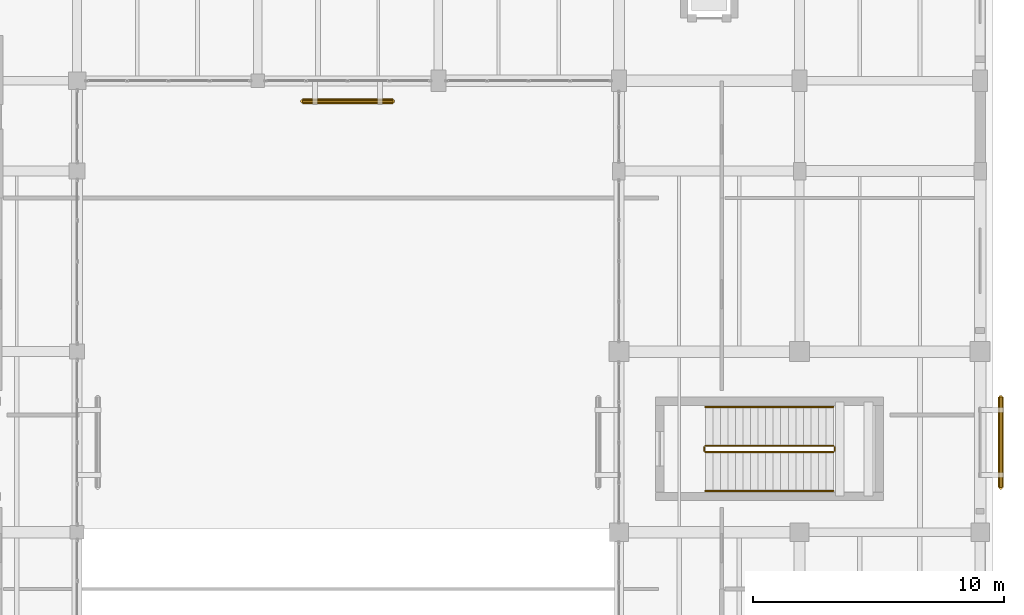
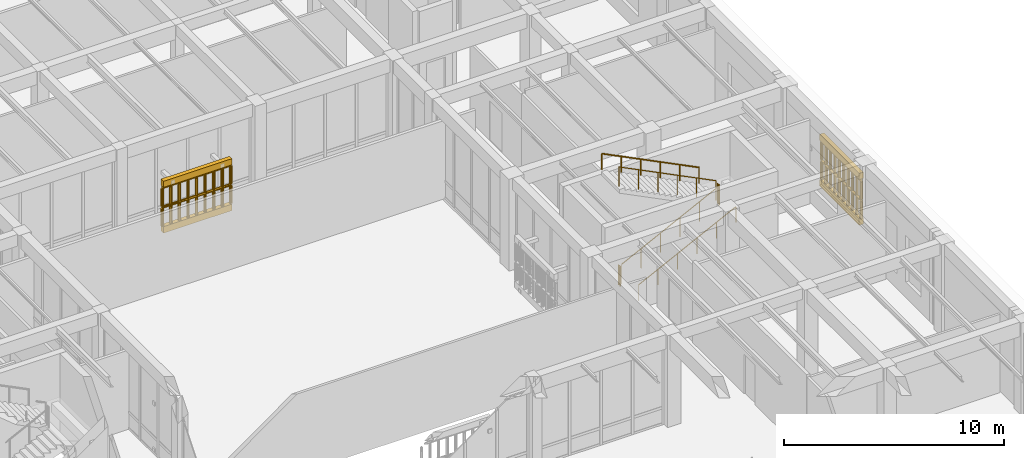
# One storey, part 167 of 169: 10 railings, 4 coverings.
"""IFC4 building model written with IfcOpenShell, lengths in metres."""

from ifc_helpers import new_model, si_unit, direction, frame, origin, origin_2d, place, context, subcontext, project, spatial, polyline, circle, outline, extrude, material, layer, layer_set, type_object, element, save


model = new_model("IFC4")

# Units and contexts
model_context = context("Model", 3, precision=1e-05, world=origin(), true_north=direction((0.0, 1.0)))
body_context = subcontext(model_context, "Body", "Model", "MODEL_VIEW")
ifc_project = project(units=[si_unit("LENGTHUNIT", "METRE"), si_unit("AREAUNIT", "SQUARE_METRE"), si_unit("VOLUMEUNIT", "CUBIC_METRE"), si_unit("PLANEANGLEUNIT", "RADIAN"), si_unit("MASSUNIT", "GRAM", prefix="KILO")], contexts=[model_context])

# Site, building, storey
site_placement = place(None, origin())
site = spatial("IfcSite", under=ifc_project, at=site_placement, CompositionType="ELEMENT")
building_placement = place(site_placement, origin())
building = spatial("IfcBuilding", under=site, at=building_placement, Name="Mazaris Harbour Polytechnic", CompositionType="ELEMENT")
storey_placement = place(building_placement, origin())
storey = spatial("IfcBuildingStorey", under=building, at=storey_placement, Name="L00", CompositionType="ELEMENT", Elevation=0.0)

# Railings
ifc_material_1 = material(Name="Perforated Earth-Coloured Terracotta Block", Category="masonry")
railing_type_1 = type_object("IfcRailingType", Name="Perforated Earth-Block Claustra Lattice 1040", PredefinedType="BALUSTRADE", material=ifc_material_1)
for number, where, name in (
    (1, (173.6201171875, 73.78759765625, 0.52001953125), "V5 L00 Lower Perforated Terracotta Block Screen 361"),
    (2, (173.6201171875, 73.78759765625, 1.610107421875), "V5 L00 Upper Perforated Terracotta Block Screen 361"),
):
    element("IfcRailing", number, at=place(storey_placement, frame(where)), inside=storey, type_object=railing_type_1, Name=name, PredefinedType="BALUSTRADE", context=body_context, shape_type="SweptSolid", body=[
        extrude(circle(Radius=0.06982421875, at=origin_2d()), frame((0.0, 0.0, 1.02001953125), z_axis=(0.0, -1.0, 0.0), x_axis=(1.0, 0.0, 0.0)), (0.0, 0.0, 1.0), 3.60009765625),
        extrude(circle(Radius=0.074951171875, at=origin_2d()), origin(), (0.0, 0.0, 1.0), 0.9501953125),
        extrude(circle(Radius=0.074951171875, at=origin_2d()), frame((0.0, -0.39990234375, 0.0)), (0.0, 0.0, 1.0), 0.9501953125),
        extrude(circle(Radius=0.074951171875, at=origin_2d()), frame((0.0, -0.800048828125, 0.0)), (0.0, 0.0, 1.0), 0.9501953125),
        extrude(circle(Radius=0.074951171875, at=origin_2d()), frame((0.0, -1.199951171875, 0.0)), (0.0, 0.0, 1.0), 0.9501953125),
        extrude(circle(Radius=0.074951171875, at=origin_2d()), frame((0.0, -1.60009765625, 0.0)), (0.0, 0.0, 1.0), 0.9501953125),
        extrude(circle(Radius=0.074951171875, at=origin_2d()), frame((0.0, -2.0, 0.0)), (0.0, 0.0, 1.0), 0.9501953125),
        extrude(circle(Radius=0.074951171875, at=origin_2d()), frame((0.0, -2.400146484375, 0.0)), (0.0, 0.0, 1.0), 0.9501953125),
        extrude(circle(Radius=0.074951171875, at=origin_2d()), frame((0.0, -2.800048828125, 0.0)), (0.0, 0.0, 1.0), 0.9501953125),
        extrude(circle(Radius=0.074951171875, at=origin_2d()), frame((0.0, -3.2001953125, 0.0)), (0.0, 0.0, 1.0), 0.9501953125),
        extrude(circle(Radius=0.074951171875, at=origin_2d()), frame((0.0, -3.60009765625, 0.0)), (0.0, 0.0, 1.0), 0.9501953125),
    ])
for number, where, name in (
    (3, (149.387451171875, 85.580078125, 0.52001953125), "V5 L00 Lower Perforated Terracotta Block Screen 363"),
    (4, (149.387451171875, 85.580078125, 1.610107421875), "V5 L00 Upper Perforated Terracotta Block Screen 363"),
):
    element("IfcRailing", number, at=place(storey_placement, frame(where)), inside=storey, type_object=railing_type_1, Name=name, PredefinedType="BALUSTRADE", context=body_context, shape_type="SweptSolid", body=[
        extrude(circle(Radius=0.06982421875, at=origin_2d()), frame((0.0, 0.0, 1.02001953125), z_axis=(-1.0, 0.0, 0.0), x_axis=(0.0, -1.0, 0.0)), (0.0, 0.0, 1.0), 3.599853515625),
        extrude(circle(Radius=0.074951171875, at=origin_2d()), origin(), (0.0, 0.0, 1.0), 0.9501953125),
        extrude(circle(Radius=0.074951171875, at=origin_2d()), frame((-0.449951171875, 0.0, 0.0)), (0.0, 0.0, 1.0), 0.9501953125),
        extrude(circle(Radius=0.074951171875, at=origin_2d()), frame((-0.89990234375, 0.0, 0.0)), (0.0, 0.0, 1.0), 0.9501953125),
        extrude(circle(Radius=0.074951171875, at=origin_2d()), frame((-1.349853515625, 0.0, 0.0)), (0.0, 0.0, 1.0), 0.9501953125),
        extrude(circle(Radius=0.074951171875, at=origin_2d()), frame((-1.7998046875, 0.0, 0.0)), (0.0, 0.0, 1.0), 0.9501953125),
        extrude(circle(Radius=0.074951171875, at=origin_2d()), frame((-2.25, 0.0, 0.0)), (0.0, 0.0, 1.0), 0.9501953125),
        extrude(circle(Radius=0.074951171875, at=origin_2d()), frame((-2.699951171875, 0.0, 0.0)), (0.0, 0.0, 1.0), 0.9501953125),
        extrude(circle(Radius=0.074951171875, at=origin_2d()), frame((-3.14990234375, 0.0, 0.0)), (0.0, 0.0, 1.0), 0.9501953125),
        extrude(circle(Radius=0.074951171875, at=origin_2d()), frame((-3.599853515625, 0.0, 0.0)), (0.0, 0.0, 1.0), 0.9501953125),
    ])
ifc_material_2 = material(Name="Stainless Steel S355", Category="steel")
railing_type_2 = type_object("IfcRailingType", Name="Stair Wall Handrail 900", PredefinedType="HANDRAIL", material=ifc_material_2)
railing_1_placement = place(storey_placement, frame((161.85009765625, 70.050048828125, 0.14990234375)))
element("IfcRailing", 5, at=railing_1_placement, inside=storey, type_object=railing_type_2, Name="L00 ST10 stair handrail 1", PredefinedType="HANDRAIL", context=body_context, shape_type="SweptSolid", body=[
    extrude(circle(Radius=0.02392578125, at=origin_2d()), frame((0.0, 0.0, 0.8759765625), z_axis=(0.894418627299, 0.0, 0.447230722492), x_axis=(0.0, 1.0, 0.0)), (0.0, 0.0, 1.0), 5.701904296875),
    extrude(circle(Radius=0.02099609375, at=origin_2d()), origin(), (0.0, 0.0, 1.0), 0.851806640625),
    extrude(circle(Radius=0.02099609375, at=origin_2d()), frame((1.02001953125, 0.0, 0.510009765625)), (0.0, 0.0, 1.0), 0.851806640625),
    extrude(circle(Radius=0.02099609375, at=origin_2d()), frame((2.0400390625, 0.0, 1.02001953125)), (0.0, 0.0, 1.0), 0.851806640625),
    extrude(circle(Radius=0.02099609375, at=origin_2d()), frame((3.059814453125, 0.0, 1.530029296875)), (0.0, 0.0, 1.0), 0.851806640625),
    extrude(circle(Radius=0.02099609375, at=origin_2d()), frame((4.079833984375, 0.0, 2.0400390625)), (0.0, 0.0, 1.0), 0.851806640625),
    extrude(circle(Radius=0.02099609375, at=origin_2d()), frame((5.099853515625, 0.0, 2.550048828125)), (0.0, 0.0, 1.0), 0.851806640625),
])
railing_2_placement = place(storey_placement, frame((166.949951171875, 73.39990234375, 2.85009765625)))
element("IfcRailing", 6, at=railing_2_placement, inside=storey, type_object=railing_type_2, Name="L00 ST10 stair handrail 2", PredefinedType="HANDRAIL", context=body_context, shape_type="SweptSolid", body=[
    extrude(circle(Radius=0.02392578125, at=origin_2d()), frame((0.0, 0.0, 0.8759765625), z_axis=(-0.894435754537, 0.0, 0.447196468016), x_axis=(0.0, -1.0, 0.0)), (0.0, 0.0, 1.0), 5.70166015625),
    extrude(circle(Radius=0.02099609375, at=origin_2d()), origin(), (0.0, 0.0, 1.0), 0.851806640625),
    extrude(circle(Radius=0.02099609375, at=origin_2d()), frame((-1.02001953125, 0.0, 0.510009765625)), (0.0, 0.0, 1.0), 0.851806640625),
    extrude(circle(Radius=0.02099609375, at=origin_2d()), frame((-2.0400390625, 0.0, 1.02001953125)), (0.0, 0.0, 1.0), 0.851806640625),
    extrude(circle(Radius=0.02099609375, at=origin_2d()), frame((-3.059814453125, 0.0, 1.52978515625)), (0.0, 0.0, 1.0), 0.851806640625),
    extrude(circle(Radius=0.02099609375, at=origin_2d()), frame((-4.079833984375, 0.0, 2.039794921875)), (0.0, 0.0, 1.0), 0.851806640625),
    extrude(circle(Radius=0.02099609375, at=origin_2d()), frame((-5.099853515625, 0.0, 2.5498046875)), (0.0, 0.0, 1.0), 0.851806640625),
])
ifc_material_3 = material(Name="Steel S355", Category="steel")
railing_type_3 = type_object("IfcRailingType", Name="Stair Well Guardrail 1100", PredefinedType="GUARDRAIL", material=ifc_material_3)
railing_3_placement = place(storey_placement, frame((161.85009765625, 71.60009765625, 0.14990234375)))
element("IfcRailing", 7, at=railing_3_placement, inside=storey, type_object=railing_type_3, Name="L00 ST10 stair guard 1", PredefinedType="GUARDRAIL", context=body_context, shape_type="SweptSolid", body=[
    extrude(circle(Radius=0.02392578125, at=origin_2d()), frame((0.0, 0.0, 1.076171875), z_axis=(0.894418627299, 0.0, 0.447230722492), x_axis=(0.0, 1.0, 0.0)), (0.0, 0.0, 1.0), 5.701904296875),
    extrude(circle(Radius=0.02099609375, at=origin_2d()), origin(), (0.0, 0.0, 1.0), 1.052001953125),
    extrude(circle(Radius=0.02099609375, at=origin_2d()), frame((1.02001953125, 0.0, 0.510009765625)), (0.0, 0.0, 1.0), 1.052001953125),
    extrude(circle(Radius=0.02099609375, at=origin_2d()), frame((2.0400390625, 0.0, 1.02001953125)), (0.0, 0.0, 1.0), 1.052001953125),
    extrude(circle(Radius=0.02099609375, at=origin_2d()), frame((3.059814453125, 0.0, 1.530029296875)), (0.0, 0.0, 1.0), 1.052001953125),
    extrude(circle(Radius=0.02099609375, at=origin_2d()), frame((4.079833984375, 0.0, 2.0400390625)), (0.0, 0.0, 1.0), 1.052001953125),
    extrude(circle(Radius=0.02099609375, at=origin_2d()), frame((5.099853515625, 0.0, 2.550048828125)), (0.0, 0.0, 1.0), 1.052001953125),
])
railing_4_placement = place(storey_placement, frame((167.0, 71.64990234375, 2.699951171875)))
element("IfcRailing", 8, at=railing_4_placement, inside=storey, type_object=railing_type_3, Name="L00 ST10 stair guard 2", PredefinedType="GUARDRAIL", context=body_context, shape_type="SweptSolid", body=[
    extrude(circle(Radius=0.02392578125, at=origin_2d()), frame((0.0, 0.0, 1.076171875), z_axis=(0.0, 1.0, 0.0), x_axis=(-1.0, 0.0, 0.0)), (0.0, 0.0, 1.0), 0.150146484375),
    extrude(circle(Radius=0.02099609375, at=origin_2d()), origin(), (0.0, 0.0, 1.0), 1.052001953125),
    extrude(circle(Radius=0.02099609375, at=origin_2d()), frame((0.0, 0.150146484375, 0.0)), (0.0, 0.0, 1.0), 1.052001953125),
])
railing_5_placement = place(storey_placement, frame((166.949951171875, 71.85009765625, 2.85009765625)))
element("IfcRailing", 9, at=railing_5_placement, inside=storey, type_object=railing_type_3, Name="L00 ST10 stair guard 3", PredefinedType="GUARDRAIL", context=body_context, shape_type="SweptSolid", body=[
    extrude(circle(Radius=0.02392578125, at=origin_2d()), frame((0.0, 0.0, 1.076171875), z_axis=(-0.894435754537, 0.0, 0.447196468016), x_axis=(0.0, -1.0, 0.0)), (0.0, 0.0, 1.0), 5.70166015625),
    extrude(circle(Radius=0.02099609375, at=origin_2d()), origin(), (0.0, 0.0, 1.0), 1.052001953125),
    extrude(circle(Radius=0.02099609375, at=origin_2d()), frame((-1.02001953125, 0.0, 0.510009765625)), (0.0, 0.0, 1.0), 1.052001953125),
    extrude(circle(Radius=0.02099609375, at=origin_2d()), frame((-2.0400390625, 0.0, 1.02001953125)), (0.0, 0.0, 1.0), 1.052001953125),
    extrude(circle(Radius=0.02099609375, at=origin_2d()), frame((-3.059814453125, 0.0, 1.52978515625)), (0.0, 0.0, 1.0), 1.052001953125),
    extrude(circle(Radius=0.02099609375, at=origin_2d()), frame((-4.079833984375, 0.0, 2.039794921875)), (0.0, 0.0, 1.0), 1.052001953125),
    extrude(circle(Radius=0.02099609375, at=origin_2d()), frame((-5.099853515625, 0.0, 2.5498046875)), (0.0, 0.0, 1.0), 1.052001953125),
])
railing_6_placement = place(storey_placement, frame((161.800048828125, 71.64990234375, 0.0)))
element("IfcRailing", 10, at=railing_6_placement, inside=storey, type_object=railing_type_3, Name="L00 ST10 stair guard 4", PredefinedType="GUARDRAIL", context=body_context, shape_type="SweptSolid", body=[
    extrude(circle(Radius=0.02392578125, at=origin_2d()), frame((0.0, 0.0, 1.076171875), z_axis=(0.0, 1.0, 0.0), x_axis=(-1.0, 0.0, 0.0)), (0.0, 0.0, 1.0), 0.150146484375),
    extrude(circle(Radius=0.02099609375, at=origin_2d()), origin(), (0.0, 0.0, 1.0), 1.052001953125),
    extrude(circle(Radius=0.02099609375, at=origin_2d()), frame((0.0, 0.150146484375, 0.0)), (0.0, 0.0, 1.0), 1.052001953125),
])

# Coverings
ifc_material_4 = material(Name="Perforated Earth-Coloured Terracotta Block", Category="masonry")
ifc_layer = layer(ifc_material_4, 0.219970703125, Name="Perforated Earth-Coloured Terracotta Block")
ifc_layer_set = layer_set([ifc_layer], Name="Perforated Earth-Coloured Terracotta Block")
covering_type = type_object("IfcCoveringType", Name="Terracotta Screen Course Cladding 220", PredefinedType="CLADDING", material=ifc_layer_set)
covering_1_placement = place(storey_placement, frame((0.0, 0.0, 0.159912109375)))
element("IfcCovering", 11, at=covering_1_placement, inside=storey, type_object=covering_type, Name="V5 L00 Perforated Screen Sill Course 361", PredefinedType="CLADDING", context=body_context, shape_type="SweptSolid", body=[
    extrude(outline(polyline([(173.510009765625, 73.78759765625), (173.510009765625, 70.1875), (173.72998046875, 70.1875), (173.72998046875, 73.78759765625), (173.510009765625, 73.78759765625)])), origin(), (0.0, 0.0, 1.0), 0.360107421875),
])
covering_2_placement = place(storey_placement, frame((0.0, 0.0, 2.699951171875)))
element("IfcCovering", 12, at=covering_2_placement, inside=storey, type_object=covering_type, Name="V5 L00 Perforated Screen Lintel Course 361", PredefinedType="CLADDING", context=body_context, shape_type="SweptSolid", body=[
    extrude(outline(polyline([(173.510009765625, 73.78759765625), (173.510009765625, 70.1875), (173.72998046875, 70.1875), (173.72998046875, 73.78759765625), (173.510009765625, 73.78759765625)])), origin(), (0.0, 0.0, 1.0), 0.340087890625),
])
covering_3_placement = place(storey_placement, frame((0.0, 0.0, 0.159912109375)))
element("IfcCovering", 13, at=covering_3_placement, inside=storey, type_object=covering_type, Name="V5 L00 Perforated Screen Sill Course 363", PredefinedType="CLADDING", context=body_context, shape_type="SweptSolid", body=[
    extrude(outline(polyline([(149.387451171875, 85.68994140625), (145.78759765625, 85.68994140625), (145.78759765625, 85.469970703125), (149.387451171875, 85.469970703125), (149.387451171875, 85.68994140625)])), origin(), (0.0, 0.0, 1.0), 0.360107421875),
])
covering_4_placement = place(storey_placement, frame((0.0, 0.0, 2.699951171875)))
element("IfcCovering", 14, at=covering_4_placement, inside=storey, type_object=covering_type, Name="V5 L00 Perforated Screen Lintel Course 363", PredefinedType="CLADDING", context=body_context, shape_type="SweptSolid", body=[
    extrude(outline(polyline([(149.387451171875, 85.68994140625), (145.78759765625, 85.68994140625), (145.78759765625, 85.469970703125), (149.387451171875, 85.469970703125), (149.387451171875, 85.68994140625)])), origin(), (0.0, 0.0, 1.0), 0.340087890625),
])

save(model, "model.ifc")
